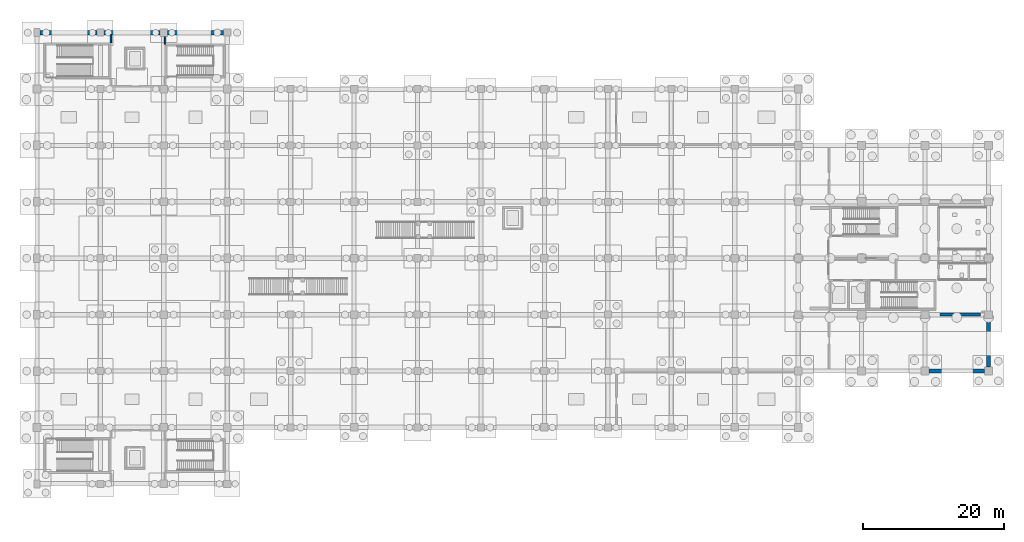
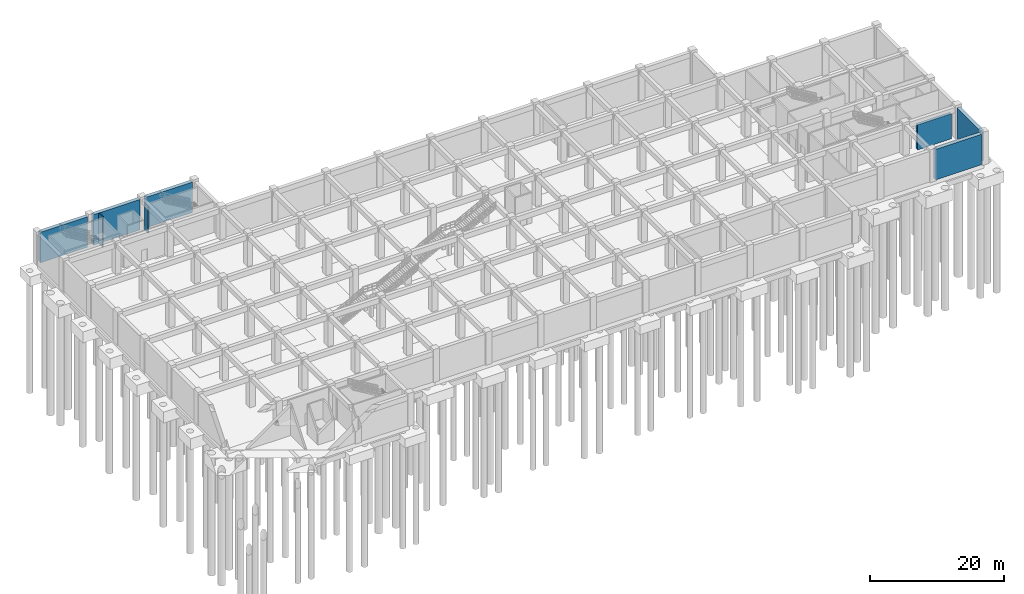
# One storey, part 12 of 18: 8 walls.
"""IFC4 building model written with IfcOpenShell, lengths in metres."""

from ifc_helpers import new_model, si_unit, derived_unit, direction, frame, frame_2d, origin, place, context, subcontext, project, spatial, rectangle, extrude, material, layer, layer_set, type_object, element, save


model = new_model("IFC4")

# Units and contexts
model_context = context("Model", 3, precision=1e-05, world=origin(), true_north=direction((0.0, 1.0)))
body_context = subcontext(model_context, "Body", "Model", "MODEL_VIEW")
ifc_project = project(units=[si_unit("LENGTHUNIT", "METRE"), si_unit("AREAUNIT", "SQUARE_METRE"), si_unit("VOLUMEUNIT", "CUBIC_METRE"), si_unit("PLANEANGLEUNIT", "RADIAN"), si_unit("MASSUNIT", "GRAM", prefix="KILO"), derived_unit("THERMALTRANSMITTANCEUNIT", [(si_unit("MASSUNIT", "GRAM", prefix="KILO"), 1), (si_unit("TIMEUNIT", "SECOND"), -3), (si_unit("THERMODYNAMICTEMPERATUREUNIT", "KELVIN"), -1)])], contexts=[model_context])

# Site, building, storey
site_placement = place(None, origin())
site = spatial("IfcSite", under=ifc_project, at=site_placement, CompositionType="ELEMENT")
building_placement = place(site_placement, origin())
building = spatial("IfcBuilding", under=site, at=building_placement, Name="Zhenchuan Archway Interchange", CompositionType="ELEMENT")
storey_placement = place(building_placement, frame((0.0, 0.0, -12.0)))
storey = spatial("IfcBuildingStorey", under=building, at=storey_placement, Name="B2", CompositionType="ELEMENT", Elevation=-12.0)

# Walls
ifc_material_1 = material(Name="Concrete C40", Category="concrete")
ifc_layer_1 = layer(ifc_material_1, 0.60009765625)
ifc_layer_set_1 = layer_set([ifc_layer_1], Name="Concrete C40")
wall_type_1 = type_object("IfcWallType", Name="EW_DIAPH_600", PredefinedType="STANDARD", material=ifc_layer_set_1)
wall_1_placement = place(storey_placement, frame((36.423095703125, 88.0, 0.0), z_axis=(0.0, 0.0, 1.0), x_axis=(1.0, 0.0, 0.0)))
element("IfcWall", 1, at=wall_1_placement, inside=storey, type_object=wall_type_1, Name="Basement diaphragm wall B2-008", PredefinedType="STANDARD", context=body_context, shape_type="SweptSolid", body=[
    extrude(rectangle(XDim=8.078857421875, YDim=0.60009765625, at=frame_2d((4.03955078125, 0.0))), origin(), (0.0, 0.0, 1.0), 5.5400390625),
])
for number, where, z_axis, x_axis, name in (
    (2, (45.498046875, 88.0, 0.0), (0.0, 0.0, 1.0), (1.0, 0.0, 0.0), "Basement diaphragm wall B2-009"),
    (3, (54.52294921875, 88.0, 0.0), (0.0, 0.0, 1.0), (1.0, 0.0, 0.0), "Basement diaphragm wall B2-010"),
):
    element("IfcWall", number, at=place(storey_placement, frame(where, z_axis=z_axis, x_axis=x_axis)), inside=storey, type_object=wall_type_1, Name=name, PredefinedType="STANDARD", context=body_context, shape_type="SweptSolid", body=[
        extrude(rectangle(XDim=7.97900390625, YDim=0.60009765625, at=frame_2d((3.989501953125, 0.0))), origin(), (0.0, 0.0, 1.0), 5.5400390625),
    ])
wall_2_placement = place(storey_placement, frame((171.0, 47.451904296875, 0.0), z_axis=(0.0, 0.0, 1.0), x_axis=(0.0, -1.0, 0.0)))
element("IfcWall", 4, at=wall_2_placement, inside=storey, type_object=wall_type_1, Name="Basement diaphragm wall B2-028", PredefinedType="STANDARD", context=body_context, shape_type="SweptSolid", body=[
    extrude(rectangle(XDim=6.90380859375, YDim=0.60009765625, at=frame_2d((3.451904296875, 0.0))), origin(), (0.0, 0.0, 1.0), 5.5400390625),
])
wall_3_placement = place(storey_placement, frame((170.451904296875, 40.0, 0.0), z_axis=(0.0, 0.0, 1.0), x_axis=(-1.0, 0.0, 0.0)))
element("IfcWall", 5, at=wall_3_placement, inside=storey, type_object=wall_type_1, Name="Basement diaphragm wall B2-029", PredefinedType="STANDARD", context=body_context, shape_type="SweptSolid", body=[
    extrude(rectangle(XDim=7.90380859375, YDim=0.60009765625, at=frame_2d((3.951904296875, 0.0))), origin(), (0.0, 0.0, 1.0), 5.5400390625),
])
ifc_material_2 = material(Name="Concrete C50", Category="concrete")
ifc_layer_2 = layer(ifc_material_2, 0.449951171875)
ifc_layer_set_2 = layer_set([ifc_layer_2], Name="Concrete C50")
wall_type_2 = type_object("IfcWallType", Name="WL_CORE_450", PredefinedType="SHEAR", material=ifc_layer_set_2)
wall_4_placement = place(storey_placement, frame((164.10009765625, 48.0, 0.0), z_axis=(0.0, 0.0, 1.0), x_axis=(1.0, 0.0, 0.0)))
element("IfcWall", 6, at=wall_4_placement, inside=storey, type_object=wall_type_2, Name="Operations lateral shear wall E-S (B2)", PredefinedType="SHEAR", context=body_context, shape_type="SweptSolid", body=[
    extrude(rectangle(XDim=5.7998046875, YDim=0.449951171875, at=frame_2d((2.89990234375, 0.0))), origin(), (0.0, 0.0, 1.0), 4.580078125),
])
ifc_material_3 = material(Name="Autoclaved Aerated Concrete Block", Category="concrete")
ifc_layer_3 = layer(ifc_material_3, 0.199951171875)
ifc_layer_set_3 = layer_set([ifc_layer_3], Name="Autoclaved Aerated Concrete Block")
wall_type_3 = type_object("IfcWallType", Name="WL_FIRE_200", PredefinedType="STANDARD", material=ifc_layer_set_3)
wall_5_placement = place(storey_placement, frame((46.489990234375, 86.544921875, 0.0), z_axis=(0.0, 0.0, 1.0), x_axis=(0.0, 1.0, 0.0)))
element("IfcWall", 7, at=wall_5_placement, inside=storey, type_object=wall_type_3, Name="North Tunnel Ventilation Plant Room W partition (B2)", PredefinedType="STANDARD", context=body_context, shape_type="SweptSolid", body=[
    extrude(rectangle(XDim=1.14501953125, YDim=0.199951171875, at=frame_2d((0.572509765625, 0.0))), origin(), (0.0, 0.0, 1.0), 5.530029296875),
])
wall_6_placement = place(storey_placement, frame((54.179931640625, 86.39501953125, 0.0), z_axis=(0.0, 0.0, 1.0), x_axis=(0.0, 1.0, 0.0)))
element("IfcWall", 8, at=wall_6_placement, inside=storey, type_object=wall_type_3, Name="North Tunnel Ventilation Plant Room E partition (B2)", PredefinedType="STANDARD", context=body_context, shape_type="SweptSolid", body=[
    extrude(rectangle(XDim=1.054931640625, YDim=0.199951171875, at=frame_2d((0.52734375, 0.0))), origin(), (0.0, 0.0, 1.0), 4.7099609375),
])

save(model, "model.ifc")
